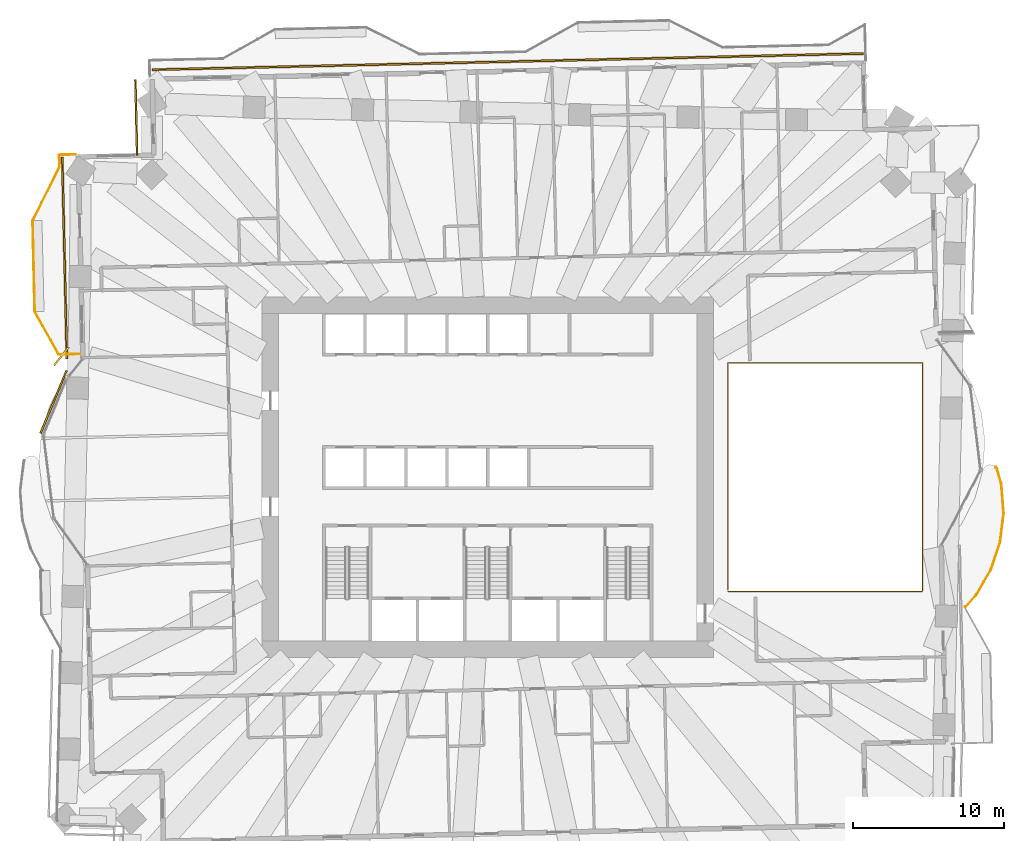
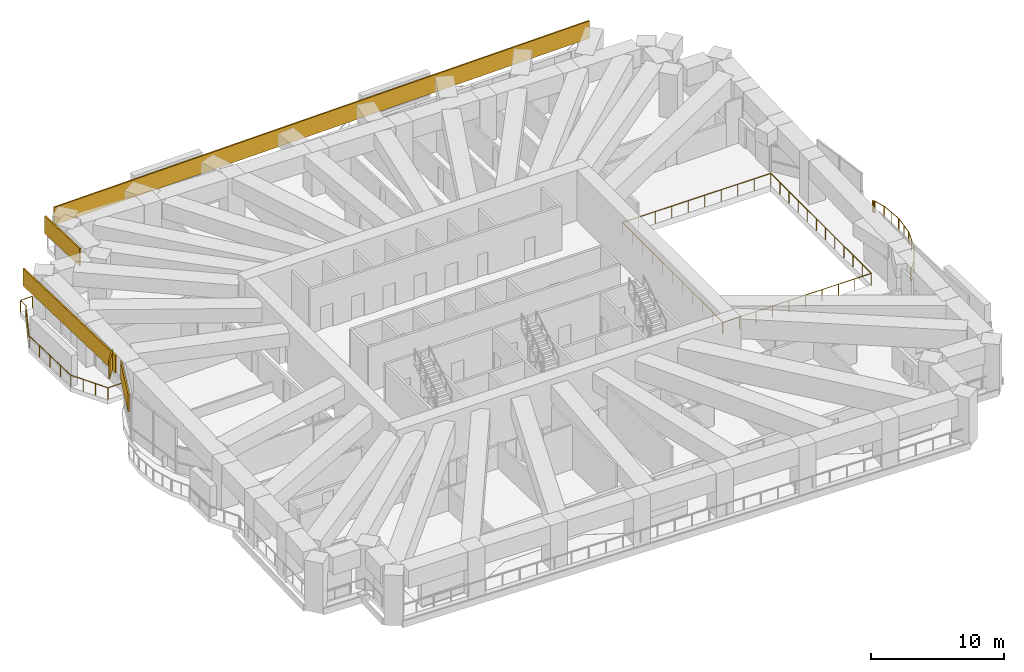
# One storey, part 19 of 20: 5 coverings, 3 railings.
"""IFC4 building model written with IfcOpenShell, lengths in metres."""

from ifc_helpers import new_model, si_unit, direction, frame, frame_2d, origin, origin_2d, place, context, subcontext, project, spatial, rectangle, extrude, material, layer, layer_set, type_object, element, save


model = new_model("IFC4")

# Units and contexts
model_context = context("Model", 3, precision=1e-05, world=origin(), true_north=direction((0.0, 1.0)))
body_context = subcontext(model_context, "Body", "Model", "MODEL_VIEW")
ifc_project = project(units=[si_unit("LENGTHUNIT", "METRE"), si_unit("AREAUNIT", "SQUARE_METRE"), si_unit("VOLUMEUNIT", "CUBIC_METRE"), si_unit("PLANEANGLEUNIT", "RADIAN"), si_unit("MASSUNIT", "GRAM", prefix="KILO")], contexts=[model_context])

# Site, building, storey
site_placement = place(None, origin())
site = spatial("IfcSite", under=ifc_project, at=site_placement, CompositionType="ELEMENT")
building_placement = place(site_placement, origin())
building = spatial("IfcBuilding", under=site, at=building_placement, Name="Mangrove Gate Tower", CompositionType="ELEMENT")
storey_placement = place(building_placement, frame((0.0, 0.0, 74.699951171875)))
storey = spatial("IfcBuildingStorey", under=building, at=storey_placement, Name="L18", CompositionType="ELEMENT", Elevation=74.699951171875)

# Railings
ifc_material_1 = material(Name="Stainless steel grade 316 with laminated glass infill", Category="steel")
railing_type = type_object("IfcRailingType", Name="Balcony guard 1100", PredefinedType="GUARDRAIL", material=ifc_material_1)
railing_1_placement = place(storey_placement, frame((-27.22900390625, 21.301025390625, 0.0)))
element("IfcRailing", 1, at=railing_1_placement, inside=storey, type_object=railing_type, Name="GUARD L18 W1", PredefinedType="GUARDRAIL", context=body_context, shape_type="SweptSolid", body=[
    extrude(rectangle(XDim=0.048095703125, YDim=0.048095703125, at=origin_2d()), frame((0.0, 0.0, 1.076171875), z_axis=(-0.999745389313, -0.022564497502, 0.0), x_axis=(0.022564497502, -0.999745389313, 0.0)), (0.0, 0.0, 1.0), 1.060302734375),
    extrude(rectangle(XDim=0.048095703125, YDim=0.048095703125, at=origin_2d()), frame((-1.06005859375, -0.02392578125, 1.076171875), z_axis=(0.022575874215, -0.999745132473, 0.0), x_axis=(0.999745132473, 0.022575874215, 0.0)), (0.0, 0.0, 1.0), 0.80029296875),
    extrude(rectangle(XDim=0.048095703125, YDim=0.048095703125, at=origin_2d()), frame((-1.0419921875, -0.823974609375, 1.076171875), z_axis=(-0.447114919141, -0.894476522376, 0.0), x_axis=(0.894476522376, -0.447114919141, 0.0)), (0.0, 0.0, 1.0), 3.958740234375),
    extrude(rectangle(XDim=0.048095703125, YDim=0.048095703125, at=origin_2d()), frame((-2.81201171875, -4.364990234375, 1.076171875), z_axis=(0.022665943652, -0.999743094499, 0.0), x_axis=(0.999743094499, 0.022665943652, 0.0)), (0.0, 0.0, 1.0), 5.99951171875),
    extrude(rectangle(XDim=0.048095703125, YDim=0.048095703125, at=origin_2d()), frame((-2.676025390625, -10.363037109375, 1.076171875), z_axis=(0.487089238085, -0.873352205093, 0.0), x_axis=(0.873352205093, 0.487089238085, 0.0)), (0.0, 0.0, 1.0), 3.251953125),
    extrude(rectangle(XDim=0.048095703125, YDim=0.048095703125, at=origin_2d()), frame((-1.092041015625, -13.203125, 1.076171875), z_axis=(0.999735822648, 0.022984449415, 0.0), x_axis=(-0.022984449415, 0.999735822648, 0.0)), (0.0, 0.0, 1.0), 1.3916015625),
    extrude(rectangle(XDim=0.0419921875, YDim=0.0419921875, at=origin_2d()), origin(), (0.0, 0.0, 1.0), 1.052001953125),
    extrude(rectangle(XDim=0.0419921875, YDim=0.0419921875, at=origin_2d()), frame((-1.06005859375, -0.02392578125, 0.0)), (0.0, 0.0, 1.0), 1.052001953125),
    extrude(rectangle(XDim=0.0419921875, YDim=0.0419921875, at=origin_2d()), frame((-1.0419921875, -0.823974609375, 0.0)), (0.0, 0.0, 1.0), 1.052001953125),
    extrude(rectangle(XDim=0.0419921875, YDim=0.0419921875, at=origin_2d()), frame((-1.632080078125, -2.00439453125, 0.0)), (0.0, 0.0, 1.0), 1.052001953125),
    extrude(rectangle(XDim=0.0419921875, YDim=0.0419921875, at=origin_2d()), frame((-2.221923828125, -3.1845703125, 0.0)), (0.0, 0.0, 1.0), 1.052001953125),
    extrude(rectangle(XDim=0.0419921875, YDim=0.0419921875, at=origin_2d()), frame((-2.81201171875, -4.364990234375, 0.0)), (0.0, 0.0, 1.0), 1.052001953125),
    extrude(rectangle(XDim=0.0419921875, YDim=0.0419921875, at=origin_2d()), frame((-2.778076171875, -5.864501953125, 0.0)), (0.0, 0.0, 1.0), 1.052001953125),
    extrude(rectangle(XDim=0.0419921875, YDim=0.0419921875, at=origin_2d()), frame((-2.744140625, -7.364013671875, 0.0)), (0.0, 0.0, 1.0), 1.052001953125),
    extrude(rectangle(XDim=0.0419921875, YDim=0.0419921875, at=origin_2d()), frame((-2.7099609375, -8.863525390625, 0.0)), (0.0, 0.0, 1.0), 1.052001953125),
    extrude(rectangle(XDim=0.0419921875, YDim=0.0419921875, at=origin_2d()), frame((-2.676025390625, -10.363037109375, 0.0)), (0.0, 0.0, 1.0), 1.052001953125),
    extrude(rectangle(XDim=0.0419921875, YDim=0.0419921875, at=origin_2d()), frame((-2.14794921875, -11.309814453125, 0.0)), (0.0, 0.0, 1.0), 1.052001953125),
    extrude(rectangle(XDim=0.0419921875, YDim=0.0419921875, at=origin_2d()), frame((-1.6201171875, -12.25634765625, 0.0)), (0.0, 0.0, 1.0), 1.052001953125),
    extrude(rectangle(XDim=0.0419921875, YDim=0.0419921875, at=origin_2d()), frame((-1.092041015625, -13.203125, 0.0)), (0.0, 0.0, 1.0), 1.052001953125),
    extrude(rectangle(XDim=0.0419921875, YDim=0.0419921875, at=origin_2d()), frame((0.299072265625, -13.171142578125, 0.0)), (0.0, 0.0, 1.0), 1.052001953125),
])
railing_2_placement = place(storey_placement, frame((15.860107421875, -7.5400390625, 0.0)))
element("IfcRailing", 2, at=railing_2_placement, inside=storey, type_object=railing_type, Name="GUARD L18 atrium", PredefinedType="GUARDRAIL", context=body_context, shape_type="SweptSolid", body=[
    extrude(rectangle(XDim=0.048095703125, YDim=0.048095703125, at=origin_2d()), frame((0.0, 0.0, 1.076171875), z_axis=(1.0, 0.0, 0.0), x_axis=(0.0, 1.0, 0.0)), (0.0, 0.0, 1.0), 12.8388671875),
    extrude(rectangle(XDim=0.048095703125, YDim=0.048095703125, at=origin_2d()), frame((12.8388671875, 0.0, 1.076171875), z_axis=(0.0, 1.0, 0.0), x_axis=(-1.0, 0.0, 0.0)), (0.0, 0.0, 1.0), 15.080078125),
    extrude(rectangle(XDim=0.048095703125, YDim=0.048095703125, at=origin_2d()), frame((12.8388671875, 15.080078125, 1.076171875), z_axis=(-1.0, 0.0, 0.0), x_axis=(0.0, -1.0, 0.0)), (0.0, 0.0, 1.0), 12.8388671875),
    extrude(rectangle(XDim=0.048095703125, YDim=0.048095703125, at=origin_2d()), frame((0.0, 15.080078125, 1.076171875), z_axis=(0.0, -1.0, 0.0), x_axis=(1.0, 0.0, 0.0)), (0.0, 0.0, 1.0), 14.9599609375),
    extrude(rectangle(XDim=0.0419921875, YDim=0.0419921875, at=origin_2d()), origin(), (0.0, 0.0, 1.0), 1.052001953125),
    extrude(rectangle(XDim=0.0419921875, YDim=0.0419921875, at=origin_2d()), frame((1.426513671875, 0.0, 0.0)), (0.0, 0.0, 1.0), 1.052001953125),
    extrude(rectangle(XDim=0.0419921875, YDim=0.0419921875, at=origin_2d()), frame((2.85302734375, 0.0, 0.0)), (0.0, 0.0, 1.0), 1.052001953125),
    extrude(rectangle(XDim=0.0419921875, YDim=0.0419921875, at=origin_2d()), frame((4.279541015625, 0.0, 0.0)), (0.0, 0.0, 1.0), 1.052001953125),
    extrude(rectangle(XDim=0.0419921875, YDim=0.0419921875, at=origin_2d()), frame((5.7060546875, 0.0, 0.0)), (0.0, 0.0, 1.0), 1.052001953125),
    extrude(rectangle(XDim=0.0419921875, YDim=0.0419921875, at=origin_2d()), frame((7.1328125, 0.0, 0.0)), (0.0, 0.0, 1.0), 1.052001953125),
    extrude(rectangle(XDim=0.0419921875, YDim=0.0419921875, at=origin_2d()), frame((8.559326171875, 0.0, 0.0)), (0.0, 0.0, 1.0), 1.052001953125),
    extrude(rectangle(XDim=0.0419921875, YDim=0.0419921875, at=origin_2d()), frame((9.98583984375, 0.0, 0.0)), (0.0, 0.0, 1.0), 1.052001953125),
    extrude(rectangle(XDim=0.0419921875, YDim=0.0419921875, at=origin_2d()), frame((11.412353515625, 0.0, 0.0)), (0.0, 0.0, 1.0), 1.052001953125),
    extrude(rectangle(XDim=0.0419921875, YDim=0.0419921875, at=origin_2d()), frame((12.8388671875, 0.0, 0.0)), (0.0, 0.0, 1.0), 1.052001953125),
    extrude(rectangle(XDim=0.0419921875, YDim=0.0419921875, at=origin_2d()), frame((12.8388671875, 1.370849609375, 0.0)), (0.0, 0.0, 1.0), 1.052001953125),
    extrude(rectangle(XDim=0.0419921875, YDim=0.0419921875, at=origin_2d()), frame((12.8388671875, 2.741943359375, 0.0)), (0.0, 0.0, 1.0), 1.052001953125),
    extrude(rectangle(XDim=0.0419921875, YDim=0.0419921875, at=origin_2d()), frame((12.8388671875, 4.11279296875, 0.0)), (0.0, 0.0, 1.0), 1.052001953125),
    extrude(rectangle(XDim=0.0419921875, YDim=0.0419921875, at=origin_2d()), frame((12.8388671875, 5.483642578125, 0.0)), (0.0, 0.0, 1.0), 1.052001953125),
    extrude(rectangle(XDim=0.0419921875, YDim=0.0419921875, at=origin_2d()), frame((12.8388671875, 6.8544921875, 0.0)), (0.0, 0.0, 1.0), 1.052001953125),
    extrude(rectangle(XDim=0.0419921875, YDim=0.0419921875, at=origin_2d()), frame((12.8388671875, 8.2255859375, 0.0)), (0.0, 0.0, 1.0), 1.052001953125),
    extrude(rectangle(XDim=0.0419921875, YDim=0.0419921875, at=origin_2d()), frame((12.8388671875, 9.596435546875, 0.0)), (0.0, 0.0, 1.0), 1.052001953125),
    extrude(rectangle(XDim=0.0419921875, YDim=0.0419921875, at=origin_2d()), frame((12.8388671875, 10.96728515625, 0.0)), (0.0, 0.0, 1.0), 1.052001953125),
    extrude(rectangle(XDim=0.0419921875, YDim=0.0419921875, at=origin_2d()), frame((12.8388671875, 12.338134765625, 0.0)), (0.0, 0.0, 1.0), 1.052001953125),
    extrude(rectangle(XDim=0.0419921875, YDim=0.0419921875, at=origin_2d()), frame((12.8388671875, 13.709228515625, 0.0)), (0.0, 0.0, 1.0), 1.052001953125),
    extrude(rectangle(XDim=0.0419921875, YDim=0.0419921875, at=origin_2d()), frame((12.8388671875, 15.080078125, 0.0)), (0.0, 0.0, 1.0), 1.052001953125),
    extrude(rectangle(XDim=0.0419921875, YDim=0.0419921875, at=origin_2d()), frame((11.412353515625, 15.080078125, 0.0)), (0.0, 0.0, 1.0), 1.052001953125),
    extrude(rectangle(XDim=0.0419921875, YDim=0.0419921875, at=origin_2d()), frame((9.98583984375, 15.080078125, 0.0)), (0.0, 0.0, 1.0), 1.052001953125),
    extrude(rectangle(XDim=0.0419921875, YDim=0.0419921875, at=origin_2d()), frame((8.559326171875, 15.080078125, 0.0)), (0.0, 0.0, 1.0), 1.052001953125),
    extrude(rectangle(XDim=0.0419921875, YDim=0.0419921875, at=origin_2d()), frame((7.1328125, 15.080078125, 0.0)), (0.0, 0.0, 1.0), 1.052001953125),
    extrude(rectangle(XDim=0.0419921875, YDim=0.0419921875, at=origin_2d()), frame((5.7060546875, 15.080078125, 0.0)), (0.0, 0.0, 1.0), 1.052001953125),
    extrude(rectangle(XDim=0.0419921875, YDim=0.0419921875, at=origin_2d()), frame((4.279541015625, 15.080078125, 0.0)), (0.0, 0.0, 1.0), 1.052001953125),
    extrude(rectangle(XDim=0.0419921875, YDim=0.0419921875, at=origin_2d()), frame((2.85302734375, 15.080078125, 0.0)), (0.0, 0.0, 1.0), 1.052001953125),
    extrude(rectangle(XDim=0.0419921875, YDim=0.0419921875, at=origin_2d()), frame((1.426513671875, 15.080078125, 0.0)), (0.0, 0.0, 1.0), 1.052001953125),
    extrude(rectangle(XDim=0.0419921875, YDim=0.0419921875, at=origin_2d()), frame((0.0, 15.080078125, 0.0)), (0.0, 0.0, 1.0), 1.052001953125),
    extrude(rectangle(XDim=0.0419921875, YDim=0.0419921875, at=origin_2d()), frame((0.0, 13.583984375, 0.0)), (0.0, 0.0, 1.0), 1.052001953125),
    extrude(rectangle(XDim=0.0419921875, YDim=0.0419921875, at=origin_2d()), frame((0.0, 12.088134765625, 0.0)), (0.0, 0.0, 1.0), 1.052001953125),
    extrude(rectangle(XDim=0.0419921875, YDim=0.0419921875, at=origin_2d()), frame((0.0, 10.592041015625, 0.0)), (0.0, 0.0, 1.0), 1.052001953125),
    extrude(rectangle(XDim=0.0419921875, YDim=0.0419921875, at=origin_2d()), frame((0.0, 9.09619140625, 0.0)), (0.0, 0.0, 1.0), 1.052001953125),
    extrude(rectangle(XDim=0.0419921875, YDim=0.0419921875, at=origin_2d()), frame((0.0, 7.60009765625, 0.0)), (0.0, 0.0, 1.0), 1.052001953125),
    extrude(rectangle(XDim=0.0419921875, YDim=0.0419921875, at=origin_2d()), frame((0.0, 6.10400390625, 0.0)), (0.0, 0.0, 1.0), 1.052001953125),
    extrude(rectangle(XDim=0.0419921875, YDim=0.0419921875, at=origin_2d()), frame((0.0, 4.608154296875, 0.0)), (0.0, 0.0, 1.0), 1.052001953125),
    extrude(rectangle(XDim=0.0419921875, YDim=0.0419921875, at=origin_2d()), frame((0.0, 3.112060546875, 0.0)), (0.0, 0.0, 1.0), 1.052001953125),
    extrude(rectangle(XDim=0.0419921875, YDim=0.0419921875, at=origin_2d()), frame((0.0, 1.6162109375, 0.0)), (0.0, 0.0, 1.0), 1.052001953125),
    extrude(rectangle(XDim=0.0419921875, YDim=0.0419921875, at=origin_2d()), frame((0.0, 0.1201171875, 0.0)), (0.0, 0.0, 1.0), 1.052001953125),
])
railing_3_placement = place(storey_placement, frame((33.5380859375, 0.656982421875, 0.0)))
element("IfcRailing", 3, at=railing_3_placement, inside=storey, type_object=railing_type, Name="GUARD L18 T1.1", PredefinedType="GUARDRAIL", context=body_context, shape_type="SweptSolid", body=[
    extrude(rectangle(XDim=0.048095703125, YDim=0.048095703125, at=origin_2d()), frame((0.0, 0.0, 1.076171875), z_axis=(0.650095810942, -0.759852246556, 0.0), x_axis=(0.759852246556, 0.650095810942, 0.0)), (0.0, 0.0, 1.0), 0.02880859375),
    extrude(rectangle(XDim=0.048095703125, YDim=0.048095703125, at=origin_2d()), frame((0.018798828125, -0.02197265625, 1.076171875), z_axis=(0.574132280643, -0.818762556743, 0.0), x_axis=(0.818762556743, 0.574132280643, 0.0)), (0.0, 0.0, 1.0), 0.048828125),
    extrude(rectangle(XDim=0.048095703125, YDim=0.048095703125, at=origin_2d()), frame((0.046875, -0.06201171875, 1.076171875), z_axis=(0.49505052567, -0.868864187911, 0.0), x_axis=(0.868864187911, 0.49505052567, 0.0)), (0.0, 0.0, 1.0), 0.04833984375),
    extrude(rectangle(XDim=0.048095703125, YDim=0.048095703125, at=origin_2d()), frame((0.07080078125, -0.10400390625, 1.076171875), z_axis=(0.407059440224, -0.913401670747, 0.0), x_axis=(0.913401670747, 0.407059440224, 0.0)), (0.0, 0.0, 1.0), 0.049072265625),
    extrude(rectangle(XDim=0.048095703125, YDim=0.048095703125, at=origin_2d()), frame((0.0908203125, -0.14892578125, 1.076171875), z_axis=(0.329682832837, -0.944091748578, 0.0), x_axis=(0.944091748578, 0.329682832837, 0.0)), (0.0, 0.0, 1.0), 0.048828125),
    extrude(rectangle(XDim=0.048095703125, YDim=0.048095703125, at=origin_2d()), frame((0.10693359375, -0.195068359375, 1.076171875), z_axis=(0.273539816205, -0.961860680635, 0.0), x_axis=(0.961860680635, 0.273539816205, 0.0)), (0.0, 0.0, 1.0), 0.92822265625),
    extrude(rectangle(XDim=0.048095703125, YDim=0.048095703125, at=origin_2d()), frame((0.36083984375, -1.087890625, 1.076171875), z_axis=(0.218472344851, -0.975843140333, 0.0), x_axis=(0.975843140333, 0.218472344851, 0.0)), (0.0, 0.0, 1.0), 0.05029296875),
    extrude(rectangle(XDim=0.048095703125, YDim=0.048095703125, at=origin_2d()), frame((0.371826171875, -1.136962890625, 1.076171875), z_axis=(0.123427070371, -0.992353645783, 0.0), x_axis=(0.992353645783, 0.123427070371, 0.0)), (0.0, 0.0, 1.0), 0.049560546875),
    extrude(rectangle(XDim=0.048095703125, YDim=0.048095703125, at=origin_2d()), frame((0.3779296875, -1.18603515625, 1.076171875), z_axis=(0.077149519663, -0.99701953422, 0.0), x_axis=(0.99701953422, 0.077149519663, 0.0)), (0.0, 0.0, 1.0), 1.813232421875),
    extrude(rectangle(XDim=0.048095703125, YDim=0.048095703125, at=origin_2d()), frame((0.517822265625, -2.993896484375, 1.076171875), z_axis=(0.019508481785, -0.999809691461, 0.0), x_axis=(0.999809691461, 0.019508481785, 0.0)), (0.0, 0.0, 1.0), 0.050048828125),
    extrude(rectangle(XDim=0.048095703125, YDim=0.048095703125, at=origin_2d()), frame((0.518798828125, -3.0439453125, 1.076171875), z_axis=(-0.059595380047, -0.998222615791, 0.0), x_axis=(0.998222615791, -0.059595380047, 0.0)), (0.0, 0.0, 1.0), 0.049072265625),
    extrude(rectangle(XDim=0.048095703125, YDim=0.048095703125, at=origin_2d()), frame((0.515869140625, -3.093017578125, 1.076171875), z_axis=(-0.122426666304, -0.992477562153, 0.0), x_axis=(0.992477562153, -0.122426666304, 0.0)), (0.0, 0.0, 1.0), 1.812744140625),
    extrude(rectangle(XDim=0.048095703125, YDim=0.048095703125, at=origin_2d()), frame((0.2939453125, -4.89208984375, 1.076171875), z_axis=(-0.159688843913, -0.987167398737, 0.0), x_axis=(0.987167398737, -0.159688843913, 0.0)), (0.0, 0.0, 1.0), 0.050537109375),
    extrude(rectangle(XDim=0.048095703125, YDim=0.048095703125, at=origin_2d()), frame((0.285888671875, -4.94189453125, 1.076171875), z_axis=(-0.277939676271, -0.960598530269, 0.0), x_axis=(0.960598530269, -0.277939676271, 0.0)), (0.0, 0.0, 1.0), 0.050048828125),
    extrude(rectangle(XDim=0.048095703125, YDim=0.048095703125, at=origin_2d()), frame((0.27197265625, -4.989990234375, 1.076171875), z_axis=(-0.316712695221, -0.94852151725, 0.0), x_axis=(0.94852151725, -0.316712695221, 0.0)), (0.0, 0.0, 1.0), 1.812255859375),
    extrude(rectangle(XDim=0.048095703125, YDim=0.048095703125, at=origin_2d()), frame((-0.302001953125, -6.708984375, 1.076171875), z_axis=(-0.366264831108, -0.930510652004, 0.0), x_axis=(0.930510652004, -0.366264831108, 0.0)), (0.0, 0.0, 1.0), 0.04931640625),
    extrude(rectangle(XDim=0.048095703125, YDim=0.048095703125, at=origin_2d()), frame((-0.320068359375, -6.7548828125, 1.076171875), z_axis=(-0.437465718849, -0.899235088746, 0.0), x_axis=(0.899235088746, -0.437465718849, 0.0)), (0.0, 0.0, 1.0), 0.05029296875),
    extrude(rectangle(XDim=0.048095703125, YDim=0.048095703125, at=origin_2d()), frame((-0.342041015625, -6.800048828125, 1.076171875), z_axis=(-0.498762115554, -0.866738918065, 0.0), x_axis=(0.866738918065, -0.498762115554, 0.0)), (0.0, 0.0, 1.0), 1.8125),
    extrude(rectangle(XDim=0.048095703125, YDim=0.048095703125, at=origin_2d()), frame((-1.24609375, -8.37109375, 1.076171875), z_axis=(-0.542238133163, -0.840224854991, 0.0), x_axis=(0.840224854991, -0.542238133163, 0.0)), (0.0, 0.0, 1.0), 0.050048828125),
    extrude(rectangle(XDim=0.048095703125, YDim=0.048095703125, at=origin_2d()), frame((-1.273193359375, -8.4130859375, 1.076171875), z_axis=(-0.624095578411, -0.781348007617, 0.0), x_axis=(0.781348007617, -0.624095578411, 0.0)), (0.0, 0.0, 1.0), 0.049560546875),
    extrude(rectangle(XDim=0.048095703125, YDim=0.048095703125, at=origin_2d()), frame((-1.30419921875, -8.451904296875, 1.076171875), z_axis=(-0.659687638909, -0.751539898522, 0.0), x_axis=(0.751539898522, -0.659687638909, 0.0)), (0.0, 0.0, 1.0), 1.03662109375),
    extrude(rectangle(XDim=0.048095703125, YDim=0.048095703125, at=origin_2d()), frame((-1.988037109375, -9.23095703125, 1.076171875), z_axis=(-0.486801350895, 0.87351270441, 0.0), x_axis=(-0.87351270441, -0.486801350895, 0.0)), (0.0, 0.0, 1.0), 0.0537109375),
    extrude(rectangle(XDim=0.0419921875, YDim=0.0419921875, at=origin_2d()), origin(), (0.0, 0.0, 1.0), 1.052001953125),
    extrude(rectangle(XDim=0.0419921875, YDim=0.0419921875, at=origin_2d()), frame((0.018798828125, -0.02197265625, 0.0)), (0.0, 0.0, 1.0), 1.052001953125),
    extrude(rectangle(XDim=0.0419921875, YDim=0.0419921875, at=origin_2d()), frame((0.046875, -0.06201171875, 0.0)), (0.0, 0.0, 1.0), 1.052001953125),
    extrude(rectangle(XDim=0.0419921875, YDim=0.0419921875, at=origin_2d()), frame((0.07080078125, -0.10400390625, 0.0)), (0.0, 0.0, 1.0), 1.052001953125),
    extrude(rectangle(XDim=0.0419921875, YDim=0.0419921875, at=origin_2d()), frame((0.0908203125, -0.14892578125, 0.0)), (0.0, 0.0, 1.0), 1.052001953125),
    extrude(rectangle(XDim=0.0419921875, YDim=0.0419921875, at=origin_2d()), frame((0.10693359375, -0.195068359375, 0.0)), (0.0, 0.0, 1.0), 1.052001953125),
    extrude(rectangle(XDim=0.0419921875, YDim=0.0419921875, at=origin_2d()), frame((0.36083984375, -1.087890625, 0.0)), (0.0, 0.0, 1.0), 1.052001953125),
    extrude(rectangle(XDim=0.0419921875, YDim=0.0419921875, at=origin_2d()), frame((0.371826171875, -1.136962890625, 0.0)), (0.0, 0.0, 1.0), 1.052001953125),
    extrude(rectangle(XDim=0.0419921875, YDim=0.0419921875, at=origin_2d()), frame((0.3779296875, -1.18603515625, 0.0)), (0.0, 0.0, 1.0), 1.052001953125),
    extrude(rectangle(XDim=0.0419921875, YDim=0.0419921875, at=origin_2d()), frame((0.44775390625, -2.08984375, 0.0)), (0.0, 0.0, 1.0), 1.052001953125),
    extrude(rectangle(XDim=0.0419921875, YDim=0.0419921875, at=origin_2d()), frame((0.517822265625, -2.993896484375, 0.0)), (0.0, 0.0, 1.0), 1.052001953125),
    extrude(rectangle(XDim=0.0419921875, YDim=0.0419921875, at=origin_2d()), frame((0.518798828125, -3.0439453125, 0.0)), (0.0, 0.0, 1.0), 1.052001953125),
    extrude(rectangle(XDim=0.0419921875, YDim=0.0419921875, at=origin_2d()), frame((0.515869140625, -3.093017578125, 0.0)), (0.0, 0.0, 1.0), 1.052001953125),
    extrude(rectangle(XDim=0.0419921875, YDim=0.0419921875, at=origin_2d()), frame((0.40478515625, -3.99267578125, 0.0)), (0.0, 0.0, 1.0), 1.052001953125),
    extrude(rectangle(XDim=0.0419921875, YDim=0.0419921875, at=origin_2d()), frame((0.2939453125, -4.89208984375, 0.0)), (0.0, 0.0, 1.0), 1.052001953125),
    extrude(rectangle(XDim=0.0419921875, YDim=0.0419921875, at=origin_2d()), frame((0.285888671875, -4.94189453125, 0.0)), (0.0, 0.0, 1.0), 1.052001953125),
    extrude(rectangle(XDim=0.0419921875, YDim=0.0419921875, at=origin_2d()), frame((0.27197265625, -4.989990234375, 0.0)), (0.0, 0.0, 1.0), 1.052001953125),
    extrude(rectangle(XDim=0.0419921875, YDim=0.0419921875, at=origin_2d()), frame((-0.01513671875, -5.849609375, 0.0)), (0.0, 0.0, 1.0), 1.052001953125),
    extrude(rectangle(XDim=0.0419921875, YDim=0.0419921875, at=origin_2d()), frame((-0.302001953125, -6.708984375, 0.0)), (0.0, 0.0, 1.0), 1.052001953125),
    extrude(rectangle(XDim=0.0419921875, YDim=0.0419921875, at=origin_2d()), frame((-0.320068359375, -6.7548828125, 0.0)), (0.0, 0.0, 1.0), 1.052001953125),
    extrude(rectangle(XDim=0.0419921875, YDim=0.0419921875, at=origin_2d()), frame((-0.342041015625, -6.800048828125, 0.0)), (0.0, 0.0, 1.0), 1.052001953125),
    extrude(rectangle(XDim=0.0419921875, YDim=0.0419921875, at=origin_2d()), frame((-0.7939453125, -7.58544921875, 0.0)), (0.0, 0.0, 1.0), 1.052001953125),
    extrude(rectangle(XDim=0.0419921875, YDim=0.0419921875, at=origin_2d()), frame((-1.24609375, -8.37109375, 0.0)), (0.0, 0.0, 1.0), 1.052001953125),
    extrude(rectangle(XDim=0.0419921875, YDim=0.0419921875, at=origin_2d()), frame((-1.273193359375, -8.4130859375, 0.0)), (0.0, 0.0, 1.0), 1.052001953125),
    extrude(rectangle(XDim=0.0419921875, YDim=0.0419921875, at=origin_2d()), frame((-1.30419921875, -8.451904296875, 0.0)), (0.0, 0.0, 1.0), 1.052001953125),
    extrude(rectangle(XDim=0.0419921875, YDim=0.0419921875, at=origin_2d()), frame((-1.988037109375, -9.23095703125, 0.0)), (0.0, 0.0, 1.0), 1.052001953125),
    extrude(rectangle(XDim=0.0419921875, YDim=0.0419921875, at=origin_2d()), frame((-2.01416015625, -9.18408203125, 0.0)), (0.0, 0.0, 1.0), 1.052001953125),
])

# Coverings
ifc_material_2 = material(Name="Limestone", Category="masonry")
ifc_layer_1 = layer(ifc_material_2, 0.0400390625, Name="Limestone cladding")
ifc_material_3 = material(Name="Stainless steel anchors and cavity", Category="steel")
ifc_layer_2 = layer(ifc_material_3, 0.080078125, Name="Fixing cavity")
ifc_layer_set = layer_set([ifc_layer_1, ifc_layer_2], Name="Joint fascia cladding 120")
covering_type = type_object("IfcCoveringType", Name="Joint fascia cladding 120", PredefinedType="CLADDING", material=ifc_layer_set)
covering_1_placement = place(storey_placement, frame((24.794921875, 27.964111328125, 2.449951171875), z_axis=(0.0, 0.0, 1.0), x_axis=(-0.999742371928, -0.022697792221, 0.0)))
element("IfcCovering", 4, at=covering_1_placement, inside=storey, type_object=covering_type, Name="STONE FASCIA L18 N5.1", PredefinedType="CLADDING", context=body_context, shape_type="SweptSolid", body=[
    extrude(rectangle(XDim=46.97216796875, YDim=0.1201171875, at=frame_2d((23.486083984375, 0.0))), origin(), (0.0, 0.0, 1.0), 1.60009765625),
])
covering_2_placement = place(storey_placement, frame((-23.263916015625, 26.241943359375, 2.449951171875), z_axis=(0.0, 0.0, 1.0), x_axis=(0.022805712228, -0.999739915923, 0.0)))
element("IfcCovering", 5, at=covering_2_placement, inside=storey, type_object=covering_type, Name="STONE FASCIA L18 W6.1", PredefinedType="CLADDING", context=body_context, shape_type="SweptSolid", body=[
    extrude(rectangle(XDim=4.999267578125, YDim=0.1201171875, at=frame_2d((2.49951171875, 0.0))), origin(), (0.0, 0.0, 1.0), 1.60009765625),
])
covering_3_placement = place(storey_placement, frame((-28.091064453125, 21.131103515625, 2.449951171875), z_axis=(0.0, 0.0, 1.0), x_axis=(0.022658160977, -0.999743270916, 0.0)))
element("IfcCovering", 6, at=covering_3_placement, inside=storey, type_object=covering_type, Name="STONE FASCIA L18 W8.1", PredefinedType="CLADDING", context=body_context, shape_type="SweptSolid", body=[
    extrude(rectangle(XDim=13.32861328125, YDim=0.1201171875, at=frame_2d((6.664306640625, 0.0))), origin(), (0.0, 0.0, 1.0), 1.60009765625),
])
covering_4_placement = place(storey_placement, frame((-27.669921875, 8.580078125, 2.449951171875), z_axis=(0.0, 0.0, 1.0), x_axis=(-0.62533210983, -0.780358733158, 0.0)))
element("IfcCovering", 7, at=covering_4_placement, inside=storey, type_object=covering_type, Name="STONE FASCIA L18 W9p1.L1", PredefinedType="CLADDING", context=body_context, shape_type="SweptSolid", body=[
    extrude(rectangle(XDim=1.541748046875, YDim=0.1201171875, at=frame_2d((0.77099609375, 0.0))), origin(), (0.0, 0.0, 1.0), 1.60009765625),
])
covering_5_placement = place(storey_placement, frame((-27.802001953125, 7.041015625, 2.449951171875), z_axis=(0.0, 0.0, 1.0), x_axis=(-0.384565110262, -0.923097869117, 0.0)))
element("IfcCovering", 8, at=covering_5_placement, inside=storey, type_object=covering_type, Name="STONE FASCIA L18 W9p2.L1", PredefinedType="CLADDING", context=body_context, shape_type="SweptSolid", body=[
    extrude(rectangle(XDim=4.482666015625, YDim=0.1201171875, at=frame_2d((2.2412109375, 0.0))), origin(), (0.0, 0.0, 1.0), 1.60009765625),
])

save(model, "model.ifc")
